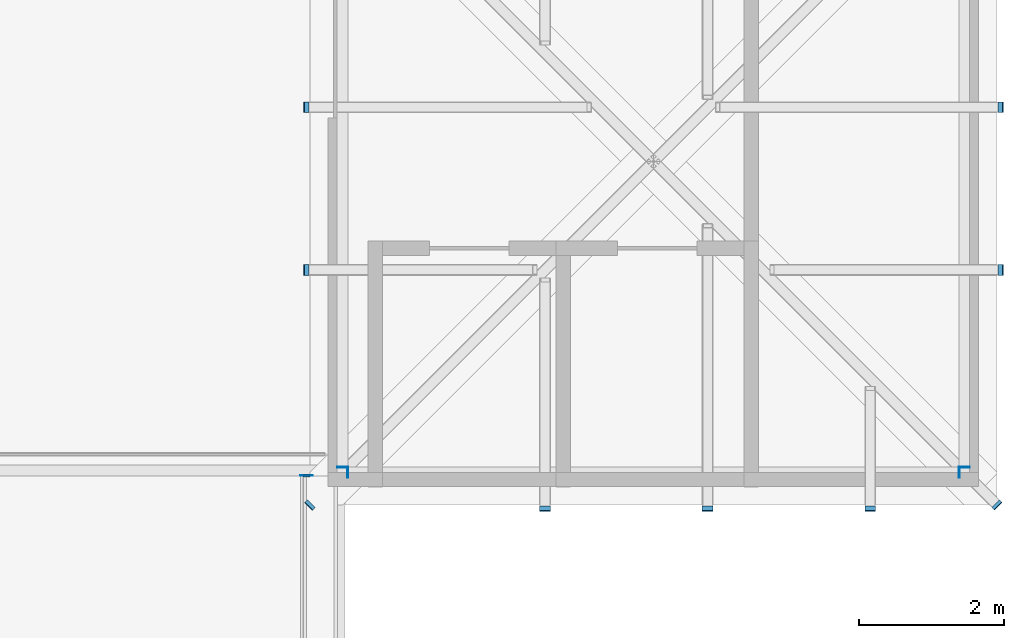
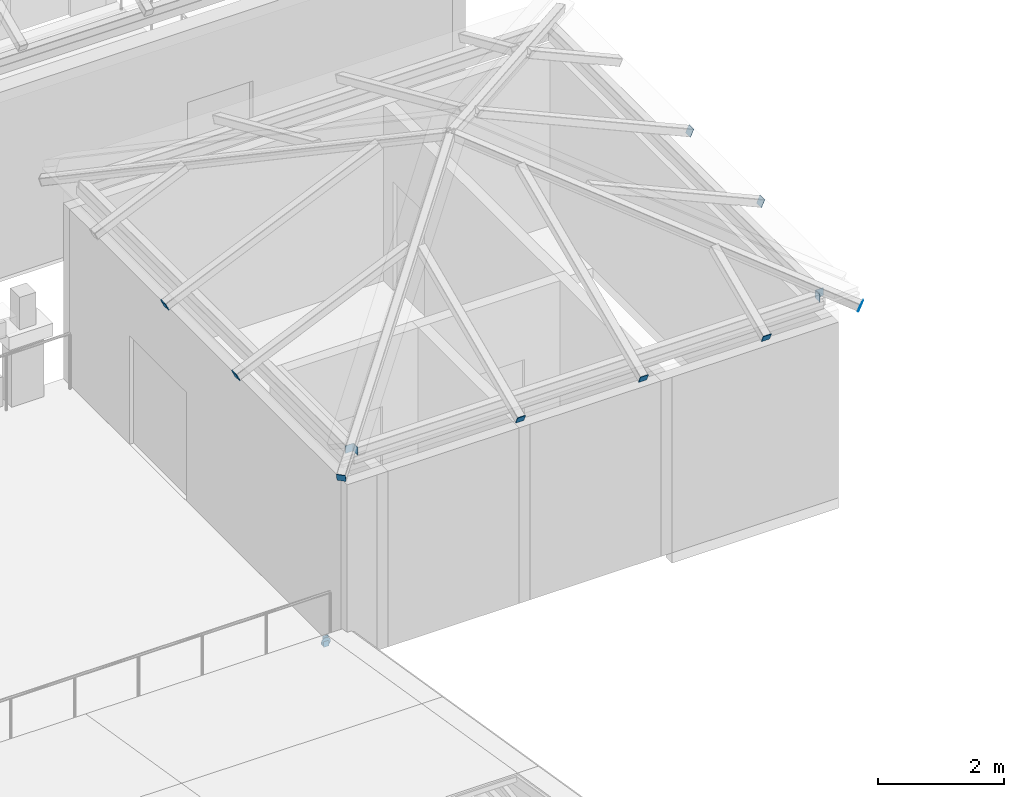
# One storey, part 57 of 69: 15 discrete accessories.
"""IFC4 building model written with IfcOpenShell, lengths in metres."""

from ifc_helpers import new_model, si_unit, direction, frame, origin, origin_2d, place, context, subcontext, project, spatial, rectangle, circle, extrude, material, material_profile, profile_set, type_object, element, save


model = new_model("IFC4")

# Units and contexts
model_context = context("Model", 3, precision=1e-05, world=origin(), true_north=direction((0.0, 1.0)))
body_context = subcontext(model_context, "Body", "Model", "MODEL_VIEW")
ifc_project = project(units=[si_unit("LENGTHUNIT", "METRE"), si_unit("AREAUNIT", "SQUARE_METRE"), si_unit("VOLUMEUNIT", "CUBIC_METRE"), si_unit("PLANEANGLEUNIT", "RADIAN"), si_unit("MASSUNIT", "GRAM", prefix="KILO")], contexts=[model_context])

# Site, building, storey
site_placement = place(None, origin())
site = spatial("IfcSite", under=ifc_project, at=site_placement, CompositionType="ELEMENT")
building_placement = place(site_placement, origin())
building = spatial("IfcBuilding", under=site, at=building_placement, Name="Kallimachos Central Library", CompositionType="ELEMENT")
storey_placement = place(building_placement, frame((0.0, 0.0, 23.39990234375)))
storey = spatial("IfcBuildingStorey", under=building, at=storey_placement, Name="L05", CompositionType="ELEMENT", Elevation=23.39990234375)

# Discrete accessories
ifc_material_1 = material(Name="Steel S355J2", Category="steel")
ifc_material_profile_1 = material_profile(ifc_material_1, rectangle(XDim=0.10009765625, YDim=0.199951171875, at=origin_2d()), Name="End cap plate 10, 100x200")
ifc_profile_set_1 = profile_set([ifc_material_profile_1], Name="Steel S355J2")
discrete_accessory_type_1 = type_object("IfcDiscreteAccessoryType", Name="End cap plate 10, 100x200", PredefinedType="BRACKET", material=ifc_profile_set_1)
discrete_accessory_1_placement = place(storey_placement, frame((101.199951171875, 75.159912109375, 0.389892578125), z_axis=(0.0, -0.989461064134, 0.144799180117), x_axis=(1.0, 0.0, 0.0)))
element("IfcDiscreteAccessory", 1, at=discrete_accessory_1_placement, inside=storey, type_object=discrete_accessory_type_1, Name="End cap plate", PredefinedType="BRACKET", context=body_context, shape_type="SweptSolid", body=[
    extrude(rectangle(XDim=0.10009765625, YDim=0.199951171875, at=origin_2d()), origin(), (0.0, 0.0, 1.0), 0.010009765625),
])
ifc_material_2 = material(Name="Steel S355J2", Category="steel")
ifc_material_profile_2 = material_profile(ifc_material_2, rectangle(XDim=0.14990234375, YDim=0.14990234375, at=origin_2d()), Name="End cap plate 10, 150x150")
ifc_profile_set_2 = profile_set([ifc_material_profile_2], Name="Steel S355J2")
discrete_accessory_type_2 = type_object("IfcDiscreteAccessoryType", Name="End cap plate 10, 150x150", PredefinedType="BRACKET", material=ifc_profile_set_2)
for number, where, z_axis, x_axis, name in (
    (2, (101.764892578125, 75.199951171875, 3.875), (1.0, 0.0, 0.0), (0.0, 1.0, 0.0), "End cap plate"),
    (3, (110.22509765625, 75.199951171875, 3.875), (1.0, 0.0, 0.0), (0.0, 1.0, 0.0), "End cap plate"),
    (4, (101.699951171875, 75.264892578125, 3.875), (0.0, 1.0, 0.0), (-1.0, 0.0, 0.0), "End cap plate"),
    (5, (110.300048828125, 75.264892578125, 3.875), (0.0, 1.0, 0.0), (-1.0, 0.0, 0.0), "End cap plate"),
    (6, (104.5, 74.69091796875, 3.805419921875), (0.0, 0.908676843963, 0.417500171551), (-1.0, 0.0, 0.0), "End cap plate"),
    (7, (106.75, 74.69091796875, 3.805419921875), (0.0, 0.908676843963, 0.417500171551), (-1.0, 0.0, 0.0), "End cap plate"),
    (8, (109.0, 74.69091796875, 3.805419921875), (0.0, 0.908676843963, 0.417500171551), (-1.0, 0.0, 0.0), "End cap plate"),
    (9, (101.19091796875, 78.0, 3.805419921875), (0.908676843963, 0.0, 0.417500171551), (0.0, 1.0, 0.0), "End cap plate"),
    (10, (101.19091796875, 80.25, 3.805419921875), (0.908676843963, 0.0, 0.417500171551), (0.0, 1.0, 0.0), "End cap plate"),
    (11, (110.80908203125, 78.0, 3.805419921875), (-0.908676843963, 0.0, 0.417500171551), (0.0, -1.0, 0.0), "End cap plate"),
    (12, (110.80908203125, 80.25, 3.805419921875), (-0.908676843963, 0.0, 0.417500171551), (0.0, -1.0, 0.0), "End cap plate"),
):
    element("IfcDiscreteAccessory", number, at=place(storey_placement, frame(where, z_axis=z_axis, x_axis=x_axis)), inside=storey, type_object=discrete_accessory_type_2, Name=name, PredefinedType="BRACKET", context=body_context, shape_type="SweptSolid", body=[
        extrude(rectangle(XDim=0.14990234375, YDim=0.14990234375, at=origin_2d()), origin(), (0.0, 0.0, 1.0), 0.010009765625),
    ])
for number, where, z_axis, x_axis, name in (
    (13, (101.2431640625, 74.7431640625, 3.778564453125), (0.671828034032, 0.671828034032, 0.311920158658), (-0.707106781187, 0.707106781187, 0.0), "End cap plate"),
    (14, (110.7568359375, 74.7431640625, 3.778564453125), (-0.671828034032, 0.671828034032, 0.311920158658), (-0.707106781187, -0.707106781187, 0.0), "End cap plate"),
):
    element("IfcDiscreteAccessory", number, at=place(storey_placement, frame(where, z_axis=z_axis, x_axis=x_axis)), inside=storey, type_object=discrete_accessory_type_2, Name=name, PredefinedType="BRACKET", context=body_context, shape_type="SweptSolid", body=[
        extrude(rectangle(XDim=0.14990234375, YDim=0.14990234375, at=origin_2d()), origin(), (0.0, 0.0, 1.0), 0.01025390625),
    ])
ifc_material_3 = material(Name="Steel S355J2", Category="steel")
ifc_material_profile_3 = material_profile(ifc_material_3, circle(Radius=0.084228515625, at=origin_2d()), Name="End cap plate 10, round 168.3")
ifc_profile_set_3 = profile_set([ifc_material_profile_3], Name="Steel S355J2")
discrete_accessory_type_3 = type_object("IfcDiscreteAccessoryType", Name="End cap plate 10, round 168.3", PredefinedType="BRACKET", material=ifc_profile_set_3)
discrete_accessory_2_placement = place(storey_placement, frame((101.199951171875, 75.14990234375, 0.374267578125), z_axis=(0.0, 1.0, 0.0), x_axis=(-1.0, 0.0, 0.0)))
element("IfcDiscreteAccessory", 15, at=discrete_accessory_2_placement, inside=storey, type_object=discrete_accessory_type_3, Name="End cap plate", PredefinedType="BRACKET", context=body_context, shape_type="SweptSolid", body=[
    extrude(circle(Radius=0.084228515625, at=origin_2d()), origin(), (0.0, 0.0, 1.0), 0.010009765625),
])

save(model, "model.ifc")
